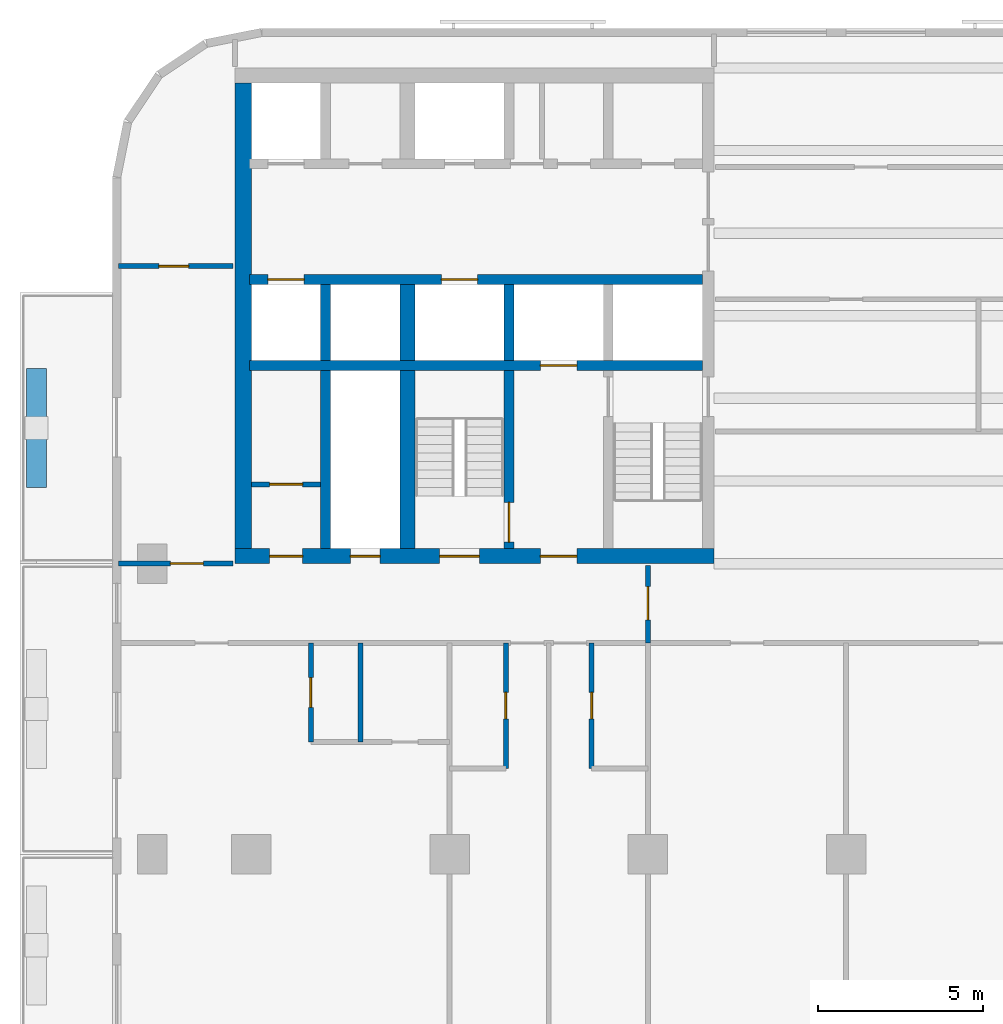
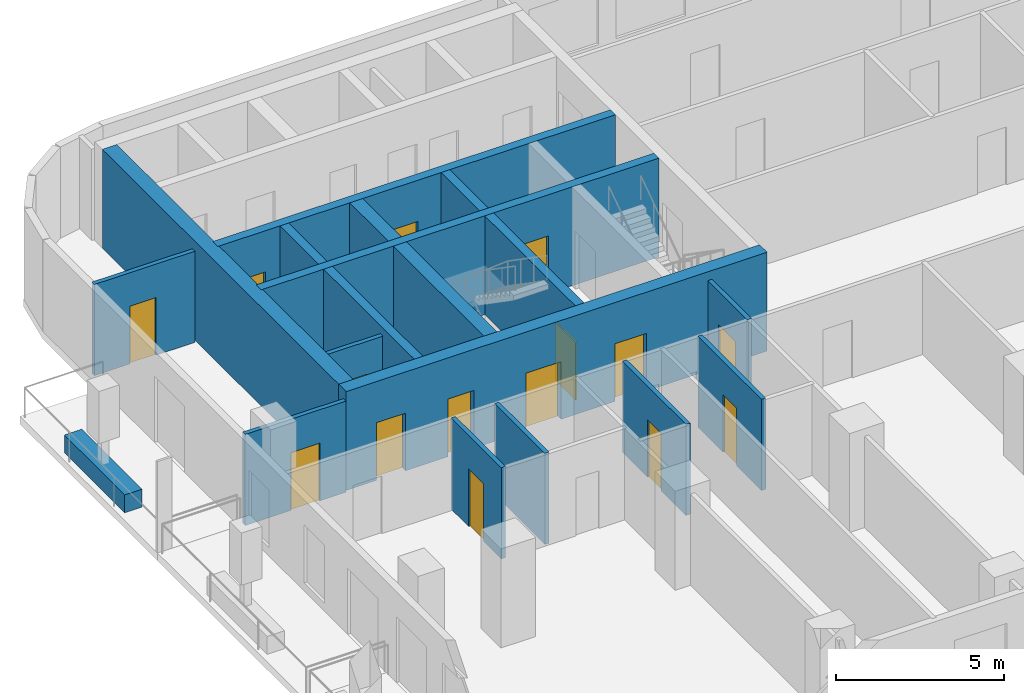
# One storey, part 3 of 11: 19 walls, 15 doors, 15 openings.
"""IFC4 building model written with IfcOpenShell, lengths in metres."""

from ifc_helpers import new_model, si_unit, direction, frame, frame_2d, origin, place, context, subcontext, project, spatial, rectangle, extrude, material, layer, layer_set, type_object, element, fill, save


model = new_model("IFC4")

# Units and contexts
model_context = context("Model", 3, precision=1e-05, world=origin(), true_north=direction((0.0, 1.0)))
body_context = subcontext(model_context, "Body", "Model", "MODEL_VIEW")
ifc_project = project(units=[si_unit("LENGTHUNIT", "METRE"), si_unit("AREAUNIT", "SQUARE_METRE"), si_unit("VOLUMEUNIT", "CUBIC_METRE"), si_unit("PLANEANGLEUNIT", "RADIAN"), si_unit("MASSUNIT", "GRAM", prefix="KILO")], contexts=[model_context])

# Site, building, storey
site_placement = place(None, origin())
site = spatial("IfcSite", under=ifc_project, at=site_placement, CompositionType="ELEMENT")
building_placement = place(site_placement, origin())
building = spatial("IfcBuilding", under=site, at=building_placement, Name="Torana Hotel and Residences", CompositionType="ELEMENT")
storey_placement = place(building_placement, frame((0.0, 0.0, 134.39990234375)))
storey = spatial("IfcBuildingStorey", under=building, at=storey_placement, Name="L34", CompositionType="ELEMENT", Elevation=134.39990234375)

# Wall, openings, doors
ifc_material_1 = material(Name="Concrete C70/85", Category="concrete")
ifc_layer_1 = layer(ifc_material_1, 0.300048828125)
ifc_layer_set_1 = layer_set([ifc_layer_1], Name="CORE WALL 300 C70/85")
wall_type_1 = type_object("IfcWallType", Name="CORE WALL 300 C70/85", PredefinedType="SHEAR", material=ifc_layer_set_1)
wall_1_placement = place(storey_placement, frame((-24.050048828125, -6.39990234375, 0.0), z_axis=(0.0, 0.0, 1.0), x_axis=(1.0, 0.0, 0.0)))
wall_1 = element("IfcWall", 1, at=wall_1_placement, inside=storey, type_object=wall_type_1, Name="Core wall W row-S", PredefinedType="SHEAR", context=body_context, shape_type="SweptSolid", body=[
    extrude(rectangle(XDim=13.699951171875, YDim=0.300048828125, at=frame_2d((6.85009765625, 0.0))), origin(), (0.0, 0.0, 1.0), 3.60009765625),
])
opening_1_placement = place(wall_1_placement, frame((0.550048828125, 0.0, 0.0)))
opening_1 = element("IfcOpeningElement", 2, at=opening_1_placement, cuts=wall_1, Name="Opening LD", PredefinedType="OPENING", context=body_context, shape_type="SweptSolid", body=[
    extrude(rectangle(XDim=1.10009765625, YDim=2.10009765625, at=frame_2d((0.550048828125, 1.050048828125))), frame((0.0, 0.159912109375, 0.0), z_axis=(0.0, -1.0, 0.0), x_axis=(1.0, 0.0, 0.0)), (0.0, 0.0, 1.0), 0.320068359375),
])
opening_2_placement = place(wall_1_placement, frame((5.800048828125, 0.0, 0.0)))
opening_2 = element("IfcOpeningElement", 3, at=opening_2_placement, cuts=wall_1, Name="Opening LD", PredefinedType="OPENING", context=body_context, shape_type="SweptSolid", body=[
    extrude(rectangle(XDim=1.10009765625, YDim=2.10009765625, at=frame_2d((0.550048828125, 1.050048828125))), frame((0.0, 0.159912109375, 0.0), z_axis=(0.0, -1.0, 0.0), x_axis=(1.0, 0.0, 0.0)), (0.0, 0.0, 1.0), 0.320068359375),
])
ifc_material_2 = material(Name="Stainless steel 316", Category="steel")
door_type_1 = type_object("IfcDoorType", Name="LIFT LANDING DOOR LD 1100x2100", OperationType="DOUBLE_DOOR_SLIDING", PredefinedType="USERDEFINED", material=ifc_material_2)
door_1_placement = place(opening_1_placement, origin())
door_1 = element("IfcDoor", 4, at=door_1_placement, inside=storey, type_object=door_type_1, Name="Lift landing door M2 L34", ObjectType="LIFT LANDING DOOR", OperationType="DOUBLE_DOOR_SLIDING", OverallHeight=2.10009765625, OverallWidth=1.10009765625, PredefinedType="USERDEFINED", context=body_context, shape_type="SweptSolid", body=[
    extrude(rectangle(XDim=1.10009765625, YDim=2.10009765625, at=frame_2d((0.550048828125, 1.050048828125))), frame((0.0, 0.02490234375, 0.0), z_axis=(0.0, -1.0, 0.0), x_axis=(1.0, 0.0, 0.0)), (0.0, 0.0, 1.0), 0.050048828125),
])
fill(opening_1, door_1)
door_2_placement = place(opening_2_placement, origin())
door_2 = element("IfcDoor", 5, at=door_2_placement, inside=storey, type_object=door_type_1, Name="Lift landing door SV1 L34", ObjectType="LIFT LANDING DOOR", OperationType="DOUBLE_DOOR_SLIDING", OverallHeight=2.10009765625, OverallWidth=1.10009765625, PredefinedType="USERDEFINED", context=body_context, shape_type="SweptSolid", body=[
    extrude(rectangle(XDim=1.10009765625, YDim=2.10009765625, at=frame_2d((0.550048828125, 1.050048828125))), frame((0.0, 0.02490234375, 0.0), z_axis=(0.0, -1.0, 0.0), x_axis=(1.0, 0.0, 0.0)), (0.0, 0.0, 1.0), 0.050048828125),
])
fill(opening_2, door_2)

# Wall, opening, door
wall_2_placement = place(storey_placement, frame((-24.050048828125, -9.0, 0.0), z_axis=(0.0, 0.0, 1.0), x_axis=(1.0, 0.0, 0.0)))
wall_2 = element("IfcWall", 6, at=wall_2_placement, inside=storey, type_object=wall_type_1, Name="Core wall W band", PredefinedType="SHEAR", context=body_context, shape_type="SweptSolid", body=[
    extrude(rectangle(XDim=13.699951171875, YDim=0.300048828125, at=frame_2d((6.85009765625, 0.0))), origin(), (0.0, 0.0, 1.0), 3.60009765625),
])
opening_3_placement = place(wall_2_placement, frame((8.800048828125, 0.0, 0.0)))
opening_3 = element("IfcOpeningElement", 7, at=opening_3_placement, cuts=wall_2, Name="Opening LD", PredefinedType="OPENING", context=body_context, shape_type="SweptSolid", body=[
    extrude(rectangle(XDim=1.10009765625, YDim=2.10009765625, at=frame_2d((0.550048828125, 1.050048828125))), frame((0.0, 0.159912109375, 0.0), z_axis=(0.0, -1.0, 0.0), x_axis=(1.0, 0.0, 0.0)), (0.0, 0.0, 1.0), 0.320068359375),
])
door_3_placement = place(opening_3_placement, origin())
door_3 = element("IfcDoor", 8, at=door_3_placement, inside=storey, type_object=door_type_1, Name="Lift landing door FF1 L34", ObjectType="LIFT LANDING DOOR", OperationType="DOUBLE_DOOR_SLIDING", OverallHeight=2.10009765625, OverallWidth=1.10009765625, PredefinedType="USERDEFINED", context=body_context, shape_type="SweptSolid", body=[
    extrude(rectangle(XDim=1.10009765625, YDim=2.10009765625, at=frame_2d((0.550048828125, 1.050048828125))), frame((0.0, 0.02490234375, 0.0), z_axis=(0.0, -1.0, 0.0), x_axis=(1.0, 0.0, 0.0)), (0.0, 0.0, 1.0), 0.050048828125),
])
fill(opening_3, door_3)

# Wall
wall_3_placement = place(storey_placement, frame((-16.199951171875, -8.85009765625, 0.0), z_axis=(0.0, 0.0, 1.0), x_axis=(0.0, 1.0, 0.0)))
element("IfcWall", 9, at=wall_3_placement, inside=storey, type_object=wall_type_1, Name="Core wall W x6.05-S", PredefinedType="SHEAR", context=body_context, shape_type="SweptSolid", body=[
    extrude(rectangle(XDim=2.300048828125, YDim=0.300048828125, at=frame_2d((1.14990234375, 0.0))), origin(), (0.0, 0.0, 1.0), 3.60009765625),
])

# Wall, opening, door
wall_4_placement = place(storey_placement, frame((-16.199951171875, -14.550048828125, 0.0), z_axis=(0.0, 0.0, 1.0), x_axis=(0.0, 1.0, 0.0)))
wall_4 = element("IfcWall", 10, at=wall_4_placement, inside=storey, type_object=wall_type_1, Name="Core wall W x6.05-band", PredefinedType="SHEAR", context=body_context, shape_type="SweptSolid", body=[
    extrude(rectangle(XDim=5.400146484375, YDim=0.300048828125, at=frame_2d((2.7001953125, 0.0))), origin(), (0.0, 0.0, 1.0), 3.60009765625),
])
opening_4_placement = place(wall_4_placement, frame((0.199951171875, 0.0, 0.0)))
opening_4 = element("IfcOpeningElement", 11, at=opening_4_placement, cuts=wall_4, Name="Opening L34-14", PredefinedType="OPENING", context=body_context, shape_type="SweptSolid", body=[
    extrude(rectangle(XDim=1.199951171875, YDim=2.10009765625, at=frame_2d((0.60009765625, 1.050048828125))), frame((0.0, 0.159912109375, 0.0), z_axis=(0.0, -1.0, 0.0), x_axis=(1.0, 0.0, 0.0)), (0.0, 0.0, 1.0), 0.320068359375),
])
ifc_material_3 = material(Name="Steel S235", Category="steel")
door_type_2 = type_object("IfcDoorType", Name="STAIR FIRE DOOR D3 1200x2100", OperationType="SINGLE_SWING_LEFT", PredefinedType="DOOR", material=ifc_material_3)
door_4_placement = place(opening_4_placement, origin())
door_4 = element("IfcDoor", 12, at=door_4_placement, inside=storey, type_object=door_type_2, Name="Stair-B-lobby door L34", OperationType="SINGLE_SWING_RIGHT", OverallHeight=2.10009765625, OverallWidth=1.199951171875, PredefinedType="DOOR", context=body_context, shape_type="SweptSolid", body=[
    extrude(rectangle(XDim=1.199951171875, YDim=2.10009765625, at=frame_2d((0.60009765625, 1.050048828125))), frame((0.0, 0.02490234375, 0.0), z_axis=(0.0, -1.0, 0.0), x_axis=(1.0, 0.0, 0.0)), (0.0, 0.0, 1.0), 0.050048828125),
])
fill(opening_4, door_4)

# Walls
wall_5_placement = place(storey_placement, frame((-21.75, -8.85009765625, 0.0), z_axis=(0.0, 0.0, 1.0), x_axis=(0.0, 1.0, 0.0)))
element("IfcWall", 13, at=wall_5_placement, inside=storey, type_object=wall_type_1, Name="Core wall W mm-S", PredefinedType="SHEAR", context=body_context, shape_type="SweptSolid", body=[
    extrude(rectangle(XDim=2.300048828125, YDim=0.300048828125, at=frame_2d((1.14990234375, 0.0))), origin(), (0.0, 0.0, 1.0), 3.60009765625),
])
wall_6_placement = place(storey_placement, frame((-21.75, -14.550048828125, 0.0), z_axis=(0.0, 0.0, 1.0), x_axis=(0.0, 1.0, 0.0)))
element("IfcWall", 14, at=wall_6_placement, inside=storey, type_object=wall_type_1, Name="Core wall W mm-band", PredefinedType="SHEAR", context=body_context, shape_type="SweptSolid", body=[
    extrude(rectangle(XDim=5.400146484375, YDim=0.300048828125, at=frame_2d((2.7001953125, 0.0))), origin(), (0.0, 0.0, 1.0), 3.60009765625),
])

# Wall, openings, doors
ifc_material_4 = material(Name="Concrete C70/85", Category="concrete")
ifc_layer_2 = layer(ifc_material_4, 0.449951171875)
ifc_layer_set_2 = layer_set([ifc_layer_2], Name="CORE WALL 450 C70/85")
wall_type_2 = type_object("IfcWallType", Name="CORE WALL 450 C70/85", PredefinedType="SHEAR", material=ifc_layer_set_2)
wall_7_placement = place(storey_placement, frame((-24.5, -14.77490234375, 0.0), z_axis=(0.0, 0.0, 1.0), x_axis=(1.0, 0.0, 0.0)))
wall_7 = element("IfcWall", 15, at=wall_7_placement, inside=storey, type_object=wall_type_2, Name="Core wall W front", PredefinedType="SHEAR", context=body_context, shape_type="SweptSolid", body=[
    extrude(rectangle(XDim=14.5, YDim=0.449951171875, at=frame_2d((7.25, 0.0))), origin(), (0.0, 0.0, 1.0), 3.60009765625),
])
opening_5_placement = place(wall_7_placement, frame((6.199951171875, 0.0, 0.0)))
opening_5 = element("IfcOpeningElement", 16, at=opening_5_placement, cuts=wall_7, Name="Opening L34-04", PredefinedType="OPENING", context=body_context, shape_type="SweptSolid", body=[
    extrude(rectangle(XDim=1.199951171875, YDim=2.10009765625, at=frame_2d((0.60009765625, 1.050048828125))), frame((0.0, 0.23486328125, 0.0), z_axis=(0.0, -1.0, 0.0), x_axis=(1.0, 0.0, 0.0)), (0.0, 0.0, 1.0), 0.469970703125),
])
opening_6_placement = place(wall_7_placement, frame((9.25, 0.0, 0.0)))
opening_6 = element("IfcOpeningElement", 17, at=opening_6_placement, cuts=wall_7, Name="Opening L34-05", PredefinedType="OPENING", context=body_context, shape_type="SweptSolid", body=[
    extrude(rectangle(XDim=1.10009765625, YDim=2.10009765625, at=frame_2d((0.550048828125, 1.050048828125))), frame((0.0, 0.23486328125, 0.0), z_axis=(0.0, -1.0, 0.0), x_axis=(1.0, 0.0, 0.0)), (0.0, 0.0, 1.0), 0.469970703125),
])
opening_7_placement = place(wall_7_placement, frame((3.5, 0.0, 0.0)))
opening_7 = element("IfcOpeningElement", 18, at=opening_7_placement, cuts=wall_7, Name="Opening L34-06", PredefinedType="OPENING", context=body_context, shape_type="SweptSolid", body=[
    extrude(rectangle(XDim=0.89990234375, YDim=2.10009765625, at=frame_2d((0.449951171875, 1.050048828125))), frame((0.0, 0.23486328125, 0.0), z_axis=(0.0, -1.0, 0.0), x_axis=(1.0, 0.0, 0.0)), (0.0, 0.0, 1.0), 0.469970703125),
])
opening_8_placement = place(wall_7_placement, frame((1.050048828125, 0.0, 0.0)))
opening_8 = element("IfcOpeningElement", 19, at=opening_8_placement, cuts=wall_7, Name="Opening L34-07", PredefinedType="OPENING", context=body_context, shape_type="SweptSolid", body=[
    extrude(rectangle(XDim=1.0, YDim=2.10009765625, at=frame_2d((0.5, 1.050048828125))), frame((0.0, 0.23486328125, 0.0), z_axis=(0.0, -1.0, 0.0), x_axis=(1.0, 0.0, 0.0)), (0.0, 0.0, 1.0), 0.469970703125),
])
ifc_material_5 = material(Name="Steel S235", Category="steel")
door_type_3 = type_object("IfcDoorType", Name="CORE ROOM FIRE DOOR D14 1000x2100", OperationType="SINGLE_SWING_LEFT", PredefinedType="DOOR", material=ifc_material_5)
door_5_placement = place(opening_8_placement, origin())
door_5 = element("IfcDoor", 20, at=door_5_placement, inside=storey, type_object=door_type_3, Name="M-Room-B door L34", OperationType="SINGLE_SWING_RIGHT", OverallHeight=2.10009765625, OverallWidth=1.0, PredefinedType="DOOR", context=body_context, shape_type="SweptSolid", body=[
    extrude(rectangle(XDim=1.0, YDim=2.10009765625, at=frame_2d((0.5, 1.050048828125))), frame((0.0, 0.02490234375, 0.0), z_axis=(0.0, -1.0, 0.0), x_axis=(1.0, 0.0, 0.0)), (0.0, 0.0, 1.0), 0.050048828125),
])
fill(opening_8, door_5)
ifc_material_6 = material(Name="Steel S235", Category="steel")
door_type_4 = type_object("IfcDoorType", Name="FIRE-FIGHTING LOBBY DOOR D8 1100x2100", OperationType="SINGLE_SWING_LEFT", PredefinedType="DOOR", material=ifc_material_6)
door_6_placement = place(opening_6_placement, origin())
door_6 = element("IfcDoor", 21, at=door_6_placement, inside=storey, type_object=door_type_4, Name="FF-lobby door L34", OperationType="SINGLE_SWING_RIGHT", OverallHeight=2.10009765625, OverallWidth=1.10009765625, PredefinedType="DOOR", context=body_context, shape_type="SweptSolid", body=[
    extrude(rectangle(XDim=1.10009765625, YDim=2.10009765625, at=frame_2d((0.550048828125, 1.050048828125))), frame((0.0, 0.02490234375, 0.0), z_axis=(0.0, -1.0, 0.0), x_axis=(1.0, 0.0, 0.0)), (0.0, 0.0, 1.0), 0.050048828125),
])
fill(opening_6, door_6)
ifc_material_7 = material(Name="Steel S235", Category="steel")
door_type_5 = type_object("IfcDoorType", Name="RISER ACCESS DOOR D5 900x2100", OperationType="SINGLE_SWING_LEFT", PredefinedType="DOOR", material=ifc_material_7)
door_7_placement = place(opening_7_placement, origin())
door_7 = element("IfcDoor", 22, at=door_7_placement, inside=storey, type_object=door_type_5, Name="M-Riser door L34", OperationType="SINGLE_SWING_RIGHT", OverallHeight=2.10009765625, OverallWidth=0.89990234375, PredefinedType="DOOR", context=body_context, shape_type="SweptSolid", body=[
    extrude(rectangle(XDim=0.89990234375, YDim=2.10009765625, at=frame_2d((0.449951171875, 1.050048828125))), frame((0.0, 0.02490234375, 0.0), z_axis=(0.0, -1.0, 0.0), x_axis=(1.0, 0.0, 0.0)), (0.0, 0.0, 1.0), 0.050048828125),
])
fill(opening_7, door_7)
door_8_placement = place(opening_5_placement, origin())
door_8 = element("IfcDoor", 23, at=door_8_placement, inside=storey, type_object=door_type_2, Name="Stair-B door L34", OperationType="SINGLE_SWING_RIGHT", OverallHeight=2.10009765625, OverallWidth=1.199951171875, PredefinedType="DOOR", context=body_context, shape_type="SweptSolid", body=[
    extrude(rectangle(XDim=1.199951171875, YDim=2.10009765625, at=frame_2d((0.60009765625, 1.050048828125))), frame((0.0, 0.02490234375, 0.0), z_axis=(0.0, -1.0, 0.0), x_axis=(1.0, 0.0, 0.0)), (0.0, 0.0, 1.0), 0.050048828125),
])
fill(opening_5, door_8)

# Walls
wall_8_placement = place(storey_placement, frame((-19.27490234375, -8.85009765625, 0.0), z_axis=(0.0, 0.0, 1.0), x_axis=(0.0, 1.0, 0.0)))
element("IfcWall", 24, at=wall_8_placement, inside=storey, type_object=wall_type_2, Name="Core wall W hm-S", PredefinedType="SHEAR", context=body_context, shape_type="SweptSolid", body=[
    extrude(rectangle(XDim=2.300048828125, YDim=0.449951171875, at=frame_2d((1.14990234375, 0.0))), origin(), (0.0, 0.0, 1.0), 3.60009765625),
])
wall_9_placement = place(storey_placement, frame((-19.27490234375, -14.550048828125, 0.0), z_axis=(0.0, 0.0, 1.0), x_axis=(0.0, 1.0, 0.0)))
element("IfcWall", 25, at=wall_9_placement, inside=storey, type_object=wall_type_2, Name="Core wall W hm-band", PredefinedType="SHEAR", context=body_context, shape_type="SweptSolid", body=[
    extrude(rectangle(XDim=5.400146484375, YDim=0.449951171875, at=frame_2d((2.7001953125, 0.0))), origin(), (0.0, 0.0, 1.0), 3.60009765625),
])
ifc_material_8 = material(Name="Concrete C70/85", Category="concrete")
ifc_layer_3 = layer(ifc_material_8, 0.5)
ifc_layer_set_3 = layer_set([ifc_layer_3], Name="CORE WALL 500 C70/85")
wall_type_3 = type_object("IfcWallType", Name="CORE WALL 500 C70/85", PredefinedType="SHEAR", material=ifc_layer_set_3)
wall_10_placement = place(storey_placement, frame((-24.25, -14.550048828125, 0.0), z_axis=(0.0, 0.0, 1.0), x_axis=(0.0, 1.0, 0.0)))
element("IfcWall", 26, at=wall_10_placement, inside=storey, type_object=wall_type_3, Name="Core wall W outer", PredefinedType="SHEAR", context=body_context, shape_type="SweptSolid", body=[
    extrude(rectangle(XDim=14.10009765625, YDim=0.5, at=frame_2d((7.050048828125, 0.0))), origin(), (0.0, 0.0, 1.0), 3.60009765625),
])

# Wall, opening, door
ifc_material_9 = material(Name="Gypsum plaster")
ifc_layer_4 = layer(ifc_material_9, 0.014892578125, Name="Plaster", Category="finish")
ifc_material_10 = material(Name="Concrete blockwork", Category="masonry")
ifc_layer_5 = layer(ifc_material_10, 0.1201171875, Name="Blockwork", Category="structure")
ifc_layer_6 = layer(ifc_material_9, 0.014892578125, Name="Plaster", Category="finish")
ifc_layer_set_4 = layer_set([ifc_layer_4, ifc_layer_5, ifc_layer_6], Name="FIRE PARTITION 150 BLOCKWORK")
wall_type_4 = type_object("IfcWallType", Name="FIRE PARTITION 150 BLOCKWORK", PredefinedType="PARTITIONING", material=ifc_layer_set_4)
wall_11_placement = place(storey_placement, frame((-24.0, -12.60009765625, 0.0), z_axis=(0.0, 0.0, 1.0), x_axis=(1.0, 0.0, 0.0)))
wall_11 = element("IfcWall", 27, at=wall_11_placement, inside=storey, type_object=wall_type_4, Name="Core partition L34", PredefinedType="PARTITIONING", context=body_context, shape_type="SweptSolid", body=[
    extrude(rectangle(XDim=2.10009765625, YDim=0.14990234375, at=frame_2d((1.050048828125, 0.0))), origin(), (0.0, 0.0, 1.0), 3.300048828125),
])
opening_9_placement = place(wall_11_placement, frame((0.550048828125, 0.0, 0.0)))
opening_9 = element("IfcOpeningElement", 28, at=opening_9_placement, cuts=wall_11, Name="Opening L34-29", PredefinedType="OPENING", context=body_context, shape_type="SweptSolid", body=[
    extrude(rectangle(XDim=1.0, YDim=2.10009765625, at=frame_2d((0.5, 1.050048828125))), frame((0.0, 0.0849609375, 0.0), z_axis=(0.0, -1.0, 0.0), x_axis=(1.0, 0.0, 0.0)), (0.0, 0.0, 1.0), 0.169921875),
])
door_9_placement = place(opening_9_placement, origin())
door_9 = element("IfcDoor", 29, at=door_9_placement, inside=storey, type_object=door_type_3, Name="Plant room door L34", OperationType="SINGLE_SWING_RIGHT", OverallHeight=2.10009765625, OverallWidth=1.0, PredefinedType="DOOR", context=body_context, shape_type="SweptSolid", body=[
    extrude(rectangle(XDim=1.0, YDim=2.10009765625, at=frame_2d((0.5, 1.050048828125))), frame((0.0, 0.02490234375, 0.0), z_axis=(0.0, -1.0, 0.0), x_axis=(1.0, 0.0, 0.0)), (0.0, 0.0, 1.0), 0.050048828125),
])
fill(opening_9, door_9)

wall_12_placement = place(storey_placement, frame((-12.0, -17.39990234375, 0.0), z_axis=(0.0, 0.0, 1.0), x_axis=(0.0, 1.0, 0.0)))
wall_12 = element("IfcWall", 30, at=wall_12_placement, inside=storey, type_object=wall_type_4, Name="Partition L34", PredefinedType="PARTITIONING", context=body_context, shape_type="SweptSolid", body=[
    extrude(rectangle(XDim=2.349853515625, YDim=0.14990234375, at=frame_2d((1.1748046875, 0.0))), origin(), (0.0, 0.0, 1.0), 3.320068359375),
])
opening_10_placement = place(wall_12_placement, frame((0.699951171875, 0.0, 0.0)))
opening_10 = element("IfcOpeningElement", 31, at=opening_10_placement, cuts=wall_12, Name="Opening L34-31", PredefinedType="OPENING", context=body_context, shape_type="SweptSolid", body=[
    extrude(rectangle(XDim=1.0, YDim=2.10009765625, at=frame_2d((0.5, 1.050048828125))), frame((0.0, 0.0849609375, 0.0), z_axis=(0.0, -1.0, 0.0), x_axis=(1.0, 0.0, 0.0)), (0.0, 0.0, 1.0), 0.169921875),
])
ifc_material_11 = material(Name="Steel S235", Category="steel")
door_type_6 = type_object("IfcDoorType", Name="ENTRY FIRE DOOR D6 1000x2100", OperationType="SINGLE_SWING_LEFT", PredefinedType="DOOR", material=ifc_material_11)
door_10_placement = place(opening_10_placement, origin())
door_10 = element("IfcDoor", 32, at=door_10_placement, inside=storey, type_object=door_type_6, Name="Door L34", OperationType="SINGLE_SWING_RIGHT", OverallHeight=2.10009765625, OverallWidth=1.0, PredefinedType="DOOR", context=body_context, shape_type="SweptSolid", body=[
    extrude(rectangle(XDim=1.0, YDim=2.10009765625, at=frame_2d((0.5, 1.050048828125))), frame((0.0, 0.02490234375, 0.0), z_axis=(0.0, -1.0, 0.0), x_axis=(1.0, 0.0, 0.0)), (0.0, 0.0, 1.0), 0.050048828125),
])
fill(opening_10, door_10)

wall_13_placement = place(storey_placement, frame((-28.02001953125, -15.0, 0.0), z_axis=(0.0, 0.0, 1.0), x_axis=(1.0, 0.0, 0.0)))
wall_13 = element("IfcWall", 33, at=wall_13_placement, inside=storey, type_object=wall_type_4, Name="Partition L34", PredefinedType="PARTITIONING", context=body_context, shape_type="SweptSolid", body=[
    extrude(rectangle(XDim=3.469970703125, YDim=0.14990234375, at=frame_2d((1.73486328125, 0.0))), origin(), (0.0, 0.0, 1.0), 3.320068359375),
])
opening_11_placement = place(wall_13_placement, frame((1.570068359375, 0.0, 0.0)))
opening_11 = element("IfcOpeningElement", 34, at=opening_11_placement, cuts=wall_13, Name="Opening L34-35", PredefinedType="OPENING", context=body_context, shape_type="SweptSolid", body=[
    extrude(rectangle(XDim=1.0, YDim=2.10009765625, at=frame_2d((0.5, 1.050048828125))), frame((0.0, 0.0849609375, 0.0), z_axis=(0.0, -1.0, 0.0), x_axis=(1.0, 0.0, 0.0)), (0.0, 0.0, 1.0), 0.169921875),
])
door_11_placement = place(opening_11_placement, origin())
door_11 = element("IfcDoor", 35, at=door_11_placement, inside=storey, type_object=door_type_3, Name="Door L34", OperationType="SINGLE_SWING_RIGHT", OverallHeight=2.10009765625, OverallWidth=1.0, PredefinedType="DOOR", context=body_context, shape_type="SweptSolid", body=[
    extrude(rectangle(XDim=1.0, YDim=2.10009765625, at=frame_2d((0.5, 1.050048828125))), frame((0.0, 0.02490234375, 0.0), z_axis=(0.0, -1.0, 0.0), x_axis=(1.0, 0.0, 0.0)), (0.0, 0.0, 1.0), 0.050048828125),
])
fill(opening_11, door_11)

ifc_material_12 = material(Name="Gypsum plasterboard")
ifc_layer_7 = layer(ifc_material_12, 0.012451171875, Name="Plasterboard", Category="finish")
ifc_layer_8 = layer(ifc_material_12, 0.012451171875, Name="Plasterboard", Category="finish")
ifc_material_13 = material(Name="Steel S280GD", Category="steel")
ifc_layer_9 = layer(ifc_material_13, 0.10009765625, Name="Steel studs with mineral wool", Category="insulation")
ifc_layer_10 = layer(ifc_material_12, 0.012451171875, Name="Plasterboard", Category="finish")
ifc_layer_11 = layer(ifc_material_12, 0.012451171875, Name="Plasterboard", Category="finish")
ifc_layer_set_5 = layer_set([ifc_layer_7, ifc_layer_8, ifc_layer_9, ifc_layer_10, ifc_layer_11], Name="PARTITION 150 PLASTERBOARD")
wall_type_5 = type_object("IfcWallType", Name="PARTITION 150 PLASTERBOARD", PredefinedType="PARTITIONING", material=ifc_layer_set_5)
wall_14_placement = place(storey_placement, frame((-13.699951171875, -21.199951171875, 0.0), z_axis=(0.0, 0.0, 1.0), x_axis=(0.0, 1.0, 0.0)))
wall_14 = element("IfcWall", 36, at=wall_14_placement, inside=storey, type_object=wall_type_5, Name="Partition L34", PredefinedType="PARTITIONING", context=body_context, shape_type="SweptSolid", body=[
    extrude(rectangle(XDim=3.800048828125, YDim=0.14990234375, at=frame_2d((1.89990234375, 0.0))), origin(), (0.0, 0.0, 1.0), 3.320068359375),
])
opening_12_placement = place(wall_14_placement, frame((1.5, 0.0, 0.0)))
opening_12 = element("IfcOpeningElement", 37, at=opening_12_placement, cuts=wall_14, Name="Opening L34-51", PredefinedType="OPENING", context=body_context, shape_type="SweptSolid", body=[
    extrude(rectangle(XDim=0.800048828125, YDim=2.10009765625, at=frame_2d((0.39990234375, 1.050048828125))), frame((0.0, 0.0849609375, 0.0), z_axis=(0.0, -1.0, 0.0), x_axis=(1.0, 0.0, 0.0)), (0.0, 0.0, 1.0), 0.169921875),
])
ifc_material_14 = material(Name="Timber door, painted", Category="wood")
door_type_7 = type_object("IfcDoorType", Name="BATH DOOR D13 800x2100", OperationType="SINGLE_SWING_LEFT", PredefinedType="DOOR", material=ifc_material_14)
door_12_placement = place(opening_12_placement, origin())
door_12 = element("IfcDoor", 38, at=door_12_placement, inside=storey, type_object=door_type_7, Name="Door L34", OperationType="SINGLE_SWING_RIGHT", OverallHeight=2.10009765625, OverallWidth=0.800048828125, PredefinedType="DOOR", context=body_context, shape_type="SweptSolid", body=[
    extrude(rectangle(XDim=0.800048828125, YDim=2.10009765625, at=frame_2d((0.39990234375, 1.050048828125))), frame((0.0, 0.02490234375, 0.0), z_axis=(0.0, -1.0, 0.0), x_axis=(1.0, 0.0, 0.0)), (0.0, 0.0, 1.0), 0.050048828125),
])
fill(opening_12, door_12)

wall_15_placement = place(storey_placement, frame((-16.300048828125, -21.199951171875, 0.0), z_axis=(0.0, 0.0, 1.0), x_axis=(0.0, 1.0, 0.0)))
wall_15 = element("IfcWall", 39, at=wall_15_placement, inside=storey, type_object=wall_type_5, Name="Partition L34", PredefinedType="PARTITIONING", context=body_context, shape_type="SweptSolid", body=[
    extrude(rectangle(XDim=3.800048828125, YDim=0.14990234375, at=frame_2d((1.89990234375, 0.0))), origin(), (0.0, 0.0, 1.0), 3.320068359375),
])
opening_13_placement = place(wall_15_placement, frame((1.5, 0.0, 0.0)))
opening_13 = element("IfcOpeningElement", 40, at=opening_13_placement, cuts=wall_15, Name="Opening L34-52", PredefinedType="OPENING", context=body_context, shape_type="SweptSolid", body=[
    extrude(rectangle(XDim=0.800048828125, YDim=2.10009765625, at=frame_2d((0.39990234375, 1.050048828125))), frame((0.0, 0.0849609375, 0.0), z_axis=(0.0, -1.0, 0.0), x_axis=(1.0, 0.0, 0.0)), (0.0, 0.0, 1.0), 0.169921875),
])
door_13_placement = place(opening_13_placement, origin())
door_13 = element("IfcDoor", 41, at=door_13_placement, inside=storey, type_object=door_type_7, Name="Door L34", OperationType="SINGLE_SWING_RIGHT", OverallHeight=2.10009765625, OverallWidth=0.800048828125, PredefinedType="DOOR", context=body_context, shape_type="SweptSolid", body=[
    extrude(rectangle(XDim=0.800048828125, YDim=2.10009765625, at=frame_2d((0.39990234375, 1.050048828125))), frame((0.0, 0.02490234375, 0.0), z_axis=(0.0, -1.0, 0.0), x_axis=(1.0, 0.0, 0.0)), (0.0, 0.0, 1.0), 0.050048828125),
])
fill(opening_13, door_13)

# Wall
wall_16_placement = place(storey_placement, frame((-20.699951171875, -20.39990234375, 0.0), z_axis=(0.0, 0.0, 1.0), x_axis=(0.0, 1.0, 0.0)))
element("IfcWall", 42, at=wall_16_placement, inside=storey, type_object=wall_type_5, Name="Partition L34", PredefinedType="PARTITIONING", context=body_context, shape_type="SweptSolid", body=[
    extrude(rectangle(XDim=3.0, YDim=0.14990234375, at=frame_2d((1.5, 0.0))), origin(), (0.0, 0.0, 1.0), 3.320068359375),
])

# Wall, opening, door
wall_17_placement = place(storey_placement, frame((-22.199951171875, -20.39990234375, 0.0), z_axis=(0.0, 0.0, 1.0), x_axis=(0.0, 1.0, 0.0)))
wall_17 = element("IfcWall", 43, at=wall_17_placement, inside=storey, type_object=wall_type_5, Name="Partition L34", PredefinedType="PARTITIONING", context=body_context, shape_type="SweptSolid", body=[
    extrude(rectangle(XDim=3.0, YDim=0.14990234375, at=frame_2d((1.5, 0.0))), origin(), (0.0, 0.0, 1.0), 3.320068359375),
])
opening_14_placement = place(wall_17_placement, frame((1.050048828125, 0.0, 0.0)))
opening_14 = element("IfcOpeningElement", 44, at=opening_14_placement, cuts=wall_17, Name="Opening L34-55", PredefinedType="OPENING", context=body_context, shape_type="SweptSolid", body=[
    extrude(rectangle(XDim=0.89990234375, YDim=2.10009765625, at=frame_2d((0.449951171875, 1.050048828125))), frame((0.0, 0.0849609375, 0.0), z_axis=(0.0, -1.0, 0.0), x_axis=(1.0, 0.0, 0.0)), (0.0, 0.0, 1.0), 0.169921875),
])
ifc_material_15 = material(Name="Timber door, oiled ash", Category="wood")
door_type_8 = type_object("IfcDoorType", Name="ROOM DOOR D7 900x2100", OperationType="SINGLE_SWING_LEFT", PredefinedType="DOOR", material=ifc_material_15)
door_14_placement = place(opening_14_placement, origin())
door_14 = element("IfcDoor", 45, at=door_14_placement, inside=storey, type_object=door_type_8, Name="Door L34", OperationType="SINGLE_SWING_LEFT", OverallHeight=2.10009765625, OverallWidth=0.89990234375, PredefinedType="DOOR", context=body_context, shape_type="SweptSolid", body=[
    extrude(rectangle(XDim=0.89990234375, YDim=2.10009765625, at=frame_2d((0.449951171875, 1.050048828125))), frame((0.0, 0.02490234375, 0.0), z_axis=(0.0, -1.0, 0.0), x_axis=(1.0, 0.0, 0.0)), (0.0, 0.0, 1.0), 0.050048828125),
])
fill(opening_14, door_14)

# Wall
ifc_material_16 = material(Name="Concrete C40/50 precast", Category="concrete")
ifc_layer_12 = layer(ifc_material_16, 0.10009765625, Name="Planter shell", Category="structure")
ifc_material_17 = material(Name="Root resistant membrane")
ifc_layer_13 = layer(ifc_material_17, 0.00390625, Name="Waterproofing membrane", Category="membrane")
ifc_material_18 = material(Name="Drainage board with filter fleece")
ifc_layer_14 = layer(ifc_material_18, 0.02001953125, Name="Drainage board", Category="drainage")
ifc_material_19 = material(Name="Growing medium")
ifc_layer_15 = layer(ifc_material_19, 0.47607421875, Name="Planting substrate", Category="soil")
ifc_layer_set_6 = layer_set([ifc_layer_12, ifc_layer_13, ifc_layer_14, ifc_layer_15], Name="PL1 BALCONY PLANTER 600")
wall_type_6 = type_object("IfcWallType", Name="PL1 BALCONY PLANTER 600", PredefinedType="USERDEFINED", material=ifc_layer_set_6)
wall_18_placement = place(storey_placement, frame((-30.5, -12.699951171875, 0.0), z_axis=(0.0, 0.0, 1.0), x_axis=(0.0, 1.0, 0.0)))
element("IfcWall", 46, at=wall_18_placement, inside=storey, type_object=wall_type_6, Name="Planter 11", ObjectType="PLANTER", PredefinedType="USERDEFINED", context=body_context, shape_type="SweptSolid", body=[
    extrude(rectangle(XDim=3.599853515625, YDim=0.60009765625, at=frame_2d((1.7998046875, 0.0))), origin(), (0.0, 0.0, 1.0), 0.650146484375),
])

# Wall, opening, door
ifc_material_20 = material(Name="Ceramic tile on adhesive")
ifc_layer_16 = layer(ifc_material_20, 0.010009765625, Name="Wall tile", Category="finish")
ifc_material_21 = material(Name="Cement render")
ifc_layer_17 = layer(ifc_material_21, 0.010009765625, Name="Render", Category="finish")
ifc_layer_18 = layer(ifc_material_10, 0.110107421875, Name="Blockwork", Category="structure")
ifc_layer_19 = layer(ifc_material_21, 0.010009765625, Name="Render", Category="finish")
ifc_layer_20 = layer(ifc_material_20, 0.010009765625, Name="Wall tile", Category="finish")
ifc_layer_set_7 = layer_set([ifc_layer_16, ifc_layer_17, ifc_layer_18, ifc_layer_19, ifc_layer_20], Name="WC PARTITION 150")
wall_type_7 = type_object("IfcWallType", Name="WC PARTITION 150", PredefinedType="PLUMBINGWALL", material=ifc_layer_set_7)
wall_19_placement = place(storey_placement, frame((-28.02001953125, -6.0, 0.0), z_axis=(0.0, 0.0, 1.0), x_axis=(1.0, 0.0, 0.0)))
wall_19 = element("IfcWall", 47, at=wall_19_placement, inside=storey, type_object=wall_type_7, Name="Partition L34", PredefinedType="PLUMBINGWALL", context=body_context, shape_type="SweptSolid", body=[
    extrude(rectangle(XDim=3.469970703125, YDim=0.14990234375, at=frame_2d((1.73486328125, 0.0))), origin(), (0.0, 0.0, 1.0), 3.320068359375),
])
opening_15_placement = place(wall_19_placement, frame((1.219970703125, 0.0, 0.0)))
opening_15 = element("IfcOpeningElement", 48, at=opening_15_placement, cuts=wall_19, Name="Opening L34-58", PredefinedType="OPENING", context=body_context, shape_type="SweptSolid", body=[
    extrude(rectangle(XDim=0.89990234375, YDim=2.10009765625, at=frame_2d((0.449951171875, 1.050048828125))), frame((0.0, 0.0849609375, 0.0), z_axis=(0.0, -1.0, 0.0), x_axis=(1.0, 0.0, 0.0)), (0.0, 0.0, 1.0), 0.169921875),
])
door_15_placement = place(opening_15_placement, origin())
door_15 = element("IfcDoor", 49, at=door_15_placement, inside=storey, type_object=door_type_8, Name="Door L34", OperationType="SINGLE_SWING_RIGHT", OverallHeight=2.10009765625, OverallWidth=0.89990234375, PredefinedType="DOOR", context=body_context, shape_type="SweptSolid", body=[
    extrude(rectangle(XDim=0.89990234375, YDim=2.10009765625, at=frame_2d((0.449951171875, 1.050048828125))), frame((0.0, 0.02490234375, 0.0), z_axis=(0.0, -1.0, 0.0), x_axis=(1.0, 0.0, 0.0)), (0.0, 0.0, 1.0), 0.050048828125),
])
fill(opening_15, door_15)

save(model, "model.ifc")
